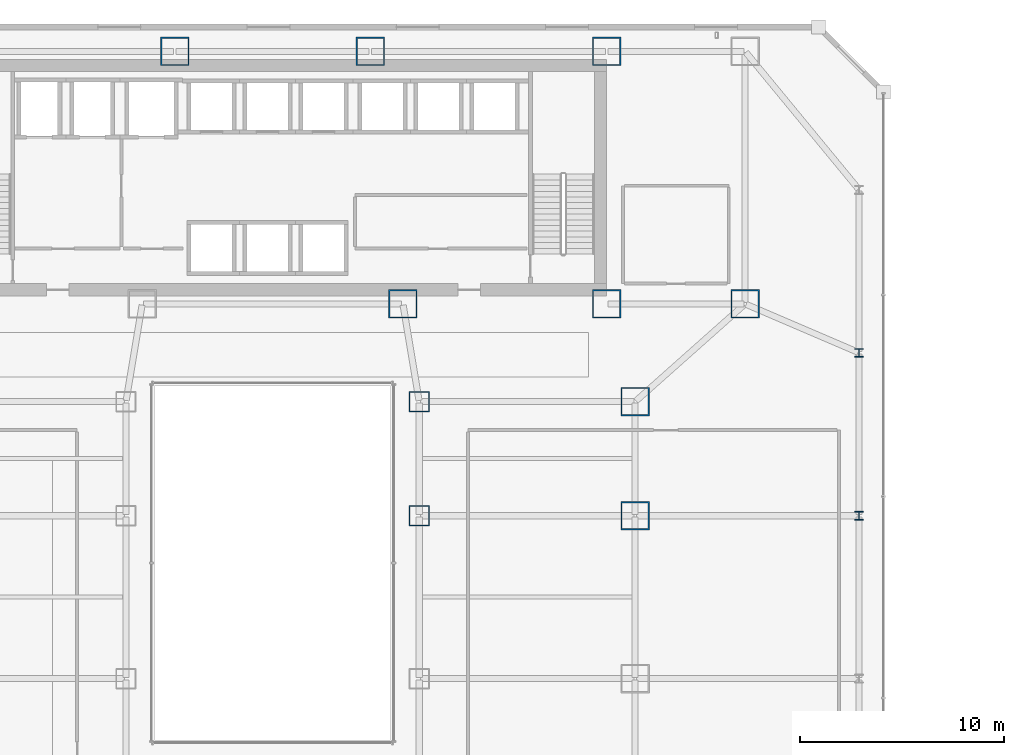
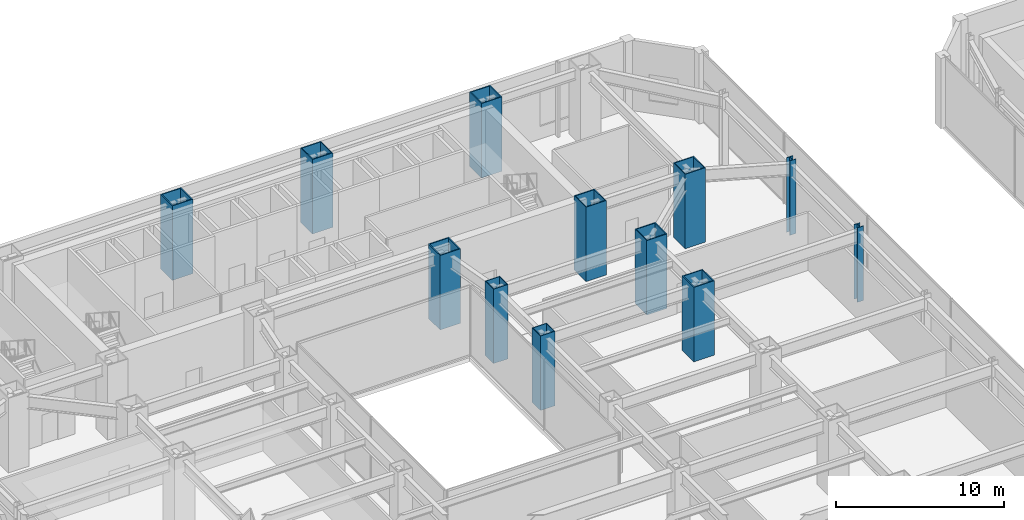
# One storey, part 4 of 51: 12 columns.
"""IFC4 building model written with IfcOpenShell, lengths in metres."""

from ifc_helpers import new_model, si_unit, direction, frame, origin, origin_2d, place, context, subcontext, project, spatial, hollow_rectangle, i_section, extrude, material, material_profile, profile_set, type_object, element, save


model = new_model("IFC4")

# Units and contexts
model_context = context("Model", 3, precision=1e-05, world=origin(), true_north=direction((0.0, 1.0)))
body_context = subcontext(model_context, "Body", "Model", "MODEL_VIEW")
ifc_project = project(units=[si_unit("LENGTHUNIT", "METRE"), si_unit("AREAUNIT", "SQUARE_METRE"), si_unit("VOLUMEUNIT", "CUBIC_METRE"), si_unit("PLANEANGLEUNIT", "RADIAN"), si_unit("MASSUNIT", "GRAM", prefix="KILO")], contexts=[model_context])

# Site, building, storey
site_placement = place(None, origin())
site = spatial("IfcSite", under=ifc_project, at=site_placement, CompositionType="ELEMENT")
building_placement = place(site_placement, origin())
building = spatial("IfcBuilding", under=site, at=building_placement, Name="Saevonmaru Cultural Tower", CompositionType="ELEMENT")
storey_placement = place(building_placement, frame((0.0, 0.0, 6.0)))
storey = spatial("IfcBuildingStorey", under=building, at=storey_placement, Name="L01", CompositionType="ELEMENT", Elevation=6.0)

# Columns
ifc_material_1 = material(Name="Steel SM420", Category="steel")
ifc_material_profile_1 = material_profile(ifc_material_1, hollow_rectangle(XDim=1.0, YDim=1.0, WallThickness=0.044921875, at=origin_2d()), Name="BOX-1000x1000x45")
ifc_profile_set_1 = profile_set([ifc_material_profile_1], Name="Steel SM420")
column_type_1 = type_object("IfcColumnType", Name="COL-BOX-1000", PredefinedType="COLUMN", material=ifc_profile_set_1)
for number, where, z_axis, x_axis, name in (
    (1, (37.199951171875, 32.0, 0.0), (0.0, 0.0, 1.0), (1.0, 0.0, 0.0), "L01 Column PC-E2-E"),
    (2, (37.199951171875, 37.60009765625, 0.0), (0.0, 0.0, 1.0), (1.0, 0.0, 0.0), "L01 Column PC-E2-F"),
):
    element("IfcColumn", number, at=place(storey_placement, frame(where, z_axis=z_axis, x_axis=x_axis)), inside=storey, type_object=column_type_1, Name=name, PredefinedType="COLUMN", context=body_context, shape_type="SweptSolid", body=[
        extrude(hollow_rectangle(XDim=1.0, YDim=1.0, WallThickness=0.044921875, at=origin_2d()), origin(), (0.0, 0.0, 1.0), 5.39990234375),
    ])
ifc_material_2 = material(Name="Steel HSA600 (600 MPa)", Category="steel")
ifc_material_profile_2 = material_profile(ifc_material_2, hollow_rectangle(XDim=1.39990234375, YDim=1.39990234375, WallThickness=0.06494140625, at=origin_2d()), Name="BOX-1400x1400x65")
ifc_profile_set_2 = profile_set([ifc_material_profile_2], Name="Steel HSA600 (600 MPa)")
column_type_2 = type_object("IfcColumnType", Name="COL-BOX-1400", PredefinedType="COLUMN", material=ifc_profile_set_2)
for number, where, z_axis, x_axis, name in (
    (3, (25.199951171875, 54.800048828125, 0.0), (0.0, 0.0, 1.0), (1.0, 0.0, 0.0), "L01 Column TC-N3N"),
    (4, (34.800048828125, 54.800048828125, 0.0), (0.0, 0.0, 1.0), (1.0, 0.0, 0.0), "L01 Column TC-N4N"),
    (5, (46.39990234375, 54.800048828125, 0.0), (0.0, 0.0, 1.0), (1.0, 0.0, 0.0), "L01 Column TC-N5N"),
    (6, (36.39990234375, 42.39990234375, 0.0), (0.0, 0.0, 1.0), (1.0, 0.0, 0.0), "L01 Column TC-S4C"),
    (7, (46.39990234375, 42.39990234375, 0.0), (0.0, 0.0, 1.0), (1.0, 0.0, 0.0), "L01 Column TC-S5C"),
    (8, (53.199951171875, 42.39990234375, 0.0), (0.0, 0.0, 1.0), (1.0, 0.0, 0.0), "L01 Column TC-S6C"),
    (9, (47.800048828125, 32.0, 0.0), (0.0, 0.0, 1.0), (1.0, 0.0, 0.0), "L01 Column PC-E1-E"),
    (10, (47.800048828125, 37.60009765625, 0.0), (0.0, 0.0, 1.0), (1.0, 0.0, 0.0), "L01 Column PC-E1-F"),
):
    element("IfcColumn", number, at=place(storey_placement, frame(where, z_axis=z_axis, x_axis=x_axis)), inside=storey, type_object=column_type_2, Name=name, PredefinedType="COLUMN", context=body_context, shape_type="SweptSolid", body=[
        extrude(hollow_rectangle(XDim=1.39990234375, YDim=1.39990234375, WallThickness=0.06494140625, at=origin_2d()), origin(), (0.0, 0.0, 1.0), 5.39990234375),
    ])
ifc_material_profile_3 = material_profile(ifc_material_1, i_section(OverallWidth=0.419921875, OverallDepth=0.419921875, WebThickness=0.02001953125, FlangeThickness=0.034912109375, FilletRadius=0.02197265625, at=origin_2d()), Name="H-428x407x20x35")
ifc_profile_set_3 = profile_set([ifc_material_profile_3], Name="Steel SM420")
column_type_3 = type_object("IfcColumnType", Name="COL-H-428", PredefinedType="COLUMN", material=ifc_profile_set_3)
for number, where, z_axis, x_axis, name in (
    (11, (58.800048828125, 32.0, 0.0), (0.0, 0.0, 1.0), (1.0, 0.0, 0.0), "L01 Column PC-PE-E"),
    (12, (58.800048828125, 40.0, 0.0), (0.0, 0.0, 1.0), (1.0, 0.0, 0.0), "L01 Column PC-PE-F"),
):
    element("IfcColumn", number, at=place(storey_placement, frame(where, z_axis=z_axis, x_axis=x_axis)), inside=storey, type_object=column_type_3, Name=name, PredefinedType="COLUMN", context=body_context, shape_type="SweptSolid", body=[
        extrude(i_section(OverallWidth=0.419921875, OverallDepth=0.419921875, WebThickness=0.02001953125, FlangeThickness=0.034912109375, FilletRadius=0.02197265625, at=origin_2d()), origin(), (0.0, 0.0, 1.0), 5.39990234375),
    ])

save(model, "model.ifc")
